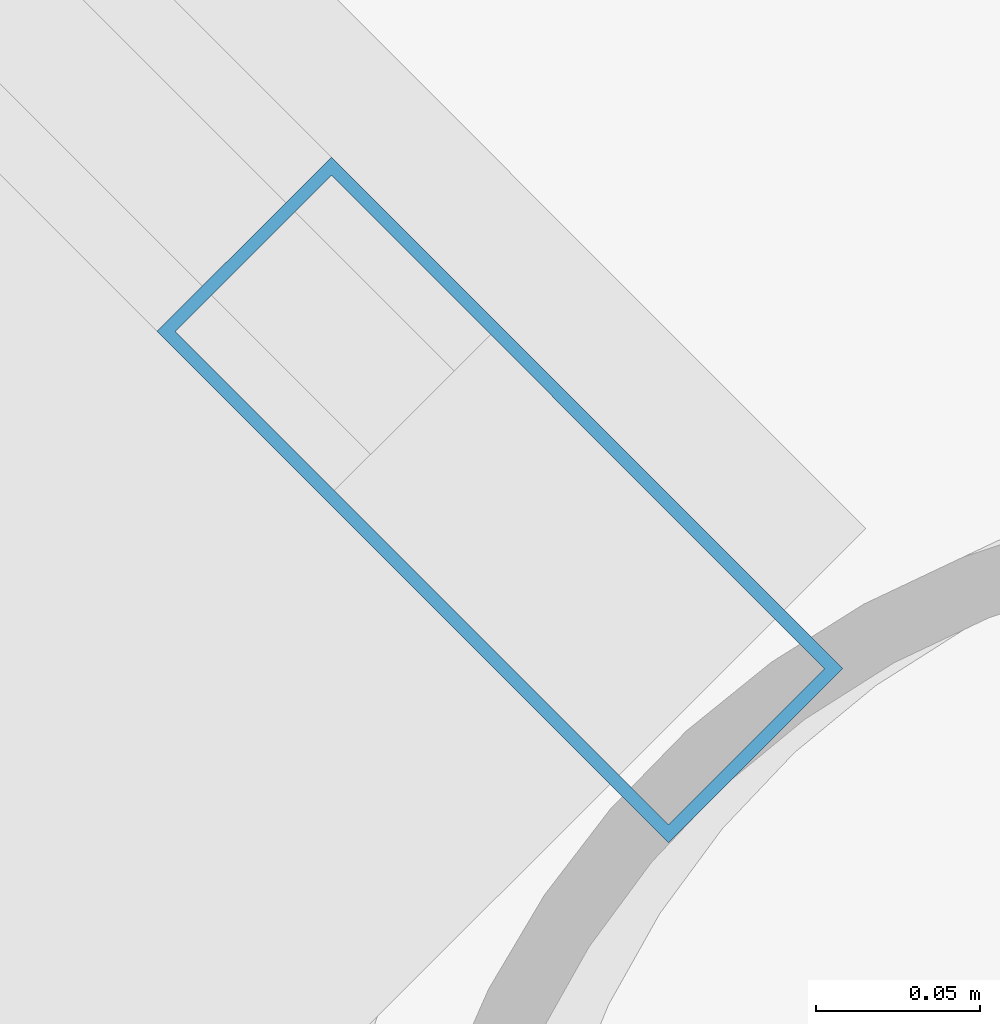
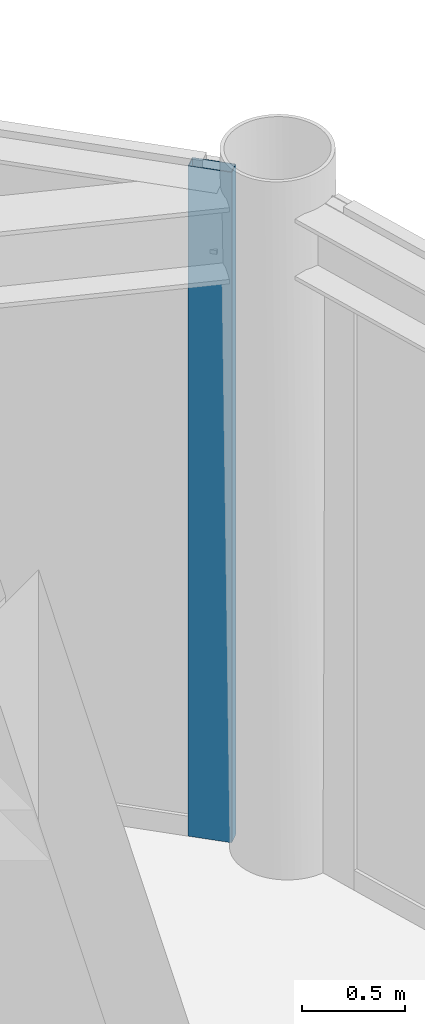
# One storey, part 13 of 20: 1 member, 1 element without a shape of its own.
"""IFC4 building model written with IfcOpenShell, lengths in metres."""

import ifcopenshell
import ifcopenshell.guid

model = None  # the IFC model being written
_history = None  # IfcOwnerHistory: only IFC2X3 demands one
_inside = {}  # id of a spatial element -> (the spatial element, [elements in it])
_under = {}  # id of a project, library or spatial element -> (it, [spatial elements below it])
_declared = {}  # id of a project -> (the project, [libraries it declares])
_typed = {}  # id of a type object -> (the type object, [elements of that type])
_made_of = {}  # id of a material, layer set ... -> (it, [elements and type objects made of it])


def new_model(schema):
    """Start an empty IFC model of exactly this schema.

    Asked for "IFC4X3", IfcOpenShell would pick the latest addendum, in which some entities
    have other attributes; the version numbers below select the first issue.
    IFC2X3 requires an IfcOwnerHistory on every rooted entity: one is made here for all.
    """
    global model, _history
    if schema == "IFC4X3":
        model = ifcopenshell.file(schema_version=(4, 3, 0, 0))
    else:
        model = ifcopenshell.file(schema=schema)
    _inside.clear()
    _under.clear()
    _declared.clear()
    _typed.clear()
    _made_of.clear()
    _history = None
    if model.schema == "IFC2X3":
        org = make("IfcOrganization", Name="unknown")
        user = make(
            "IfcPersonAndOrganization",
            ThePerson=make("IfcPerson", FamilyName="unknown"),
            TheOrganization=org,
        )
        app = make(
            "IfcApplication",
            ApplicationDeveloper=org,
            Version="unknown",
            ApplicationFullName="unknown",
            ApplicationIdentifier="unknown",
        )
        _history = make(
            "IfcOwnerHistory",
            OwningUser=user,
            OwningApplication=app,
            ChangeAction="ADDED",
            CreationDate=0,
        )
    return model


def make(cls, **values):
    """One entity of the class cls with the attributes given. An attribute that is None is left unset."""
    return model.create_entity(
        cls, **{name: value for name, value in values.items() if value is not None}
    )


def rooted(cls, **values):
    """An entity with a GlobalId (a new one), such as an element, a storey or a relation."""
    return make(cls, GlobalId=ifcopenshell.guid.new(), OwnerHistory=_history, **values)


def si_unit(unit_type, name, prefix=None):
    """IfcSIUnit, for example si_unit("LENGTHUNIT", "METRE", prefix="MILLI")."""
    return make("IfcSIUnit", UnitType=unit_type, Prefix=prefix, Name=name)


def assignment(units):
    """IfcUnitAssignment: the units of a project."""
    return None if units is None else make("IfcUnitAssignment", Units=units)


def point(xyz):
    """IfcCartesianPoint."""
    return None if xyz is None else make("IfcCartesianPoint", Coordinates=xyz)


def direction(xyz):
    """IfcDirection."""
    return None if xyz is None else make("IfcDirection", DirectionRatios=xyz)


def frame(location, z_axis=None, x_axis=None):
    """IfcAxis2Placement3D, a coordinate frame: its origin and axes. An axis left out is left unset."""
    return make(
        "IfcAxis2Placement3D",
        Location=point(location),
        Axis=direction(z_axis),
        RefDirection=direction(x_axis),
    )


def frame_2d(location, x_axis=None):
    """IfcAxis2Placement2D, a coordinate frame in the plane: its origin and x axis."""
    return make(
        "IfcAxis2Placement2D", Location=point(location), RefDirection=direction(x_axis)
    )


def origin():
    """The frame at (0, 0, 0) with its axes left unset."""
    return frame((0.0, 0.0, 0.0))


def origin_2d():
    """The frame at (0, 0) in the plane with its x axis left unset."""
    return frame_2d((0.0, 0.0))


def place(relative_to, where):
    """IfcLocalPlacement: puts the frame where relative to a parent placement (None: the world)."""
    return make(
        "IfcLocalPlacement", PlacementRelTo=relative_to, RelativePlacement=where
    )


def context(
    kind, dimensions, precision=None, world=None, true_north=None, identifier=None
):
    """IfcGeometricRepresentationContext, for example the 3D "Model" context."""
    return make(
        "IfcGeometricRepresentationContext",
        ContextIdentifier=identifier,
        ContextType=kind,
        CoordinateSpaceDimension=dimensions,
        Precision=precision,
        WorldCoordinateSystem=world,
        TrueNorth=true_north,
    )


def subcontext(parent, identifier, kind, view, scale=None):
    """IfcGeometricRepresentationSubContext, for example "Body" below "Model"."""
    return make(
        "IfcGeometricRepresentationSubContext",
        ContextIdentifier=identifier,
        ContextType=kind,
        ParentContext=parent,
        TargetScale=scale,
        TargetView=view,
    )


def project(units=None, contexts=None):
    """IfcProject with its units and contexts."""
    return rooted(
        "IfcProject",
        Name="project",
        RepresentationContexts=contexts,
        UnitsInContext=assignment(units),
    )


def spatial(cls, under=None, at=None, **own):
    """A site, building, storey or space (cls), placed at a placement, below another one or the project."""
    s = rooted(cls, ObjectPlacement=at, **own)
    if under is not None:
        _under.setdefault(under.id(), (under, []))[1].append(s)
    return s


def profile(cls, at=None, kind="AREA", **sizes):
    """A parametric profile (cls). Its sizes go by their IFC names, for example OverallWidth=200.0."""
    return make(cls, ProfileType=kind, Position=at, **sizes)


def hollow_rectangle(**sizes):
    """IfcRectangleHollowProfileDef."""
    return profile("IfcRectangleHollowProfileDef", **sizes)


def extrude(swept, where, along, depth):
    """IfcExtrudedAreaSolid: the profile swept, set in the frame where, extruded along a direction by depth."""
    return make(
        "IfcExtrudedAreaSolid",
        SweptArea=swept,
        Position=where,
        ExtrudedDirection=direction(along),
        Depth=depth,
    )


def shape(context_of_items, identifier, shape_type, items):
    """IfcShapeRepresentation: the items that make up one representation, for example the "Body"."""
    return make(
        "IfcShapeRepresentation",
        ContextOfItems=context_of_items,
        RepresentationIdentifier=identifier,
        RepresentationType=shape_type,
        Items=items,
    )


def material(Name=None, Category=None):
    """IfcMaterial."""
    return make("IfcMaterial", Name=Name, Category=Category)


def layer(
    of_material, thickness, ventilated=None, Name=None, Category=None, Priority=None
):
    """IfcMaterialLayer: one layer of a wall or slab, of a material (None: an air gap)."""
    return make(
        "IfcMaterialLayer",
        Material=of_material,
        LayerThickness=thickness,
        IsVentilated=ventilated,
        Name=Name,
        Category=Category,
        Priority=Priority,
    )


def layer_set(layers, Name=None):
    """IfcMaterialLayerSet."""
    return make("IfcMaterialLayerSet", MaterialLayers=layers, LayerSetName=Name)


def material_profile(
    of_material, cross_section, Name=None, Category=None, Priority=None
):
    """IfcMaterialProfile: a cross section and its material."""
    return make(
        "IfcMaterialProfile",
        Name=Name,
        Material=of_material,
        Profile=cross_section,
        Priority=Priority,
        Category=Category,
    )


def profile_set(profiles, Name=None, composite=None):
    """IfcMaterialProfileSet."""
    return make(
        "IfcMaterialProfileSet",
        Name=Name,
        MaterialProfiles=profiles,
        CompositeProfile=composite,
    )


def made_of(thing, what):
    """Note that an element or type object is made of a material, layer set ...; save() writes the relation."""
    if what is not None:
        _made_of.setdefault(what.id(), (what, []))[1].append(thing)
    return thing


def type_object(cls, material=None, **own):
    """A type object (cls), such as IfcWallType, which elements share."""
    return made_of(rooted(cls, **own), material)


def element(
    cls,
    number,
    at=None,
    inside=None,
    cuts=None,
    type_object=None,
    material=None,
    context=None,
    identifier="Body",
    shape_type=None,
    held_by="IfcProductDefinitionShape",
    body=None,
    shapes=None,
    **own,
):
    """One element of the class cls, such as IfcWall. Its Tag is "e" and its number.

    at: its placement. inside: the storey or other place that contains it. cuts: it is an
    opening in that element (IfcRelVoidsElement). A single representation is given by context,
    identifier, shape_type and body (its items); several are given by shapes. held_by: the class
    of the entity that holds the representations. save() writes the other relations.
    """
    e = rooted(cls, Tag="e%d" % number, ObjectPlacement=at, **own)
    if body is not None:
        shapes = [shape(context, identifier, shape_type, body)]
    if shapes is not None:
        e.Representation = make(held_by, Representations=shapes)
    if inside is not None:
        _inside.setdefault(inside.id(), (inside, []))[1].append(e)
    if cuts is not None:
        rooted(
            "IfcRelVoidsElement", RelatingBuildingElement=cuts, RelatedOpeningElement=e
        )
    if type_object is not None:
        _typed.setdefault(type_object.id(), (type_object, []))[1].append(e)
    return made_of(e, material)


def aggregate(whole, parts):
    """IfcRelAggregates: a whole, such as a stair, and the parts it consists of."""
    return rooted("IfcRelAggregates", RelatingObject=whole, RelatedObjects=parts)


def save(model, path):
    """Write the relations noted so far, then the file.

    IfcRelAggregates (storeys below a building ...), IfcRelContainedInSpatialStructure (elements
    in a storey), IfcRelDefinesByType, IfcRelAssociatesMaterial and IfcRelDeclares: one each for
    every whole, place, type object, material and project.
    """
    for whole, parts in _under.values():
        aggregate(whole, parts)
    for where, things in _inside.values():
        rooted(
            "IfcRelContainedInSpatialStructure",
            RelatedElements=things,
            RelatingStructure=where,
        )
    for kind, things in _typed.values():
        rooted("IfcRelDefinesByType", RelatedObjects=things, RelatingType=kind)
    for what, things in _made_of.values():
        rooted("IfcRelAssociatesMaterial", RelatedObjects=things, RelatingMaterial=what)
    for by, libraries in _declared.values():
        rooted("IfcRelDeclares", RelatingContext=by, RelatedDefinitions=libraries)
    model.write(path)


model = new_model("IFC4")

# Units and contexts
model_context = context("Model", 3, precision=1e-05, world=origin(), true_north=direction((0.0, 1.0)))
body_context = subcontext(model_context, "Body", "Model", "MODEL_VIEW")
ifc_project = project(units=[si_unit("LENGTHUNIT", "METRE"), si_unit("AREAUNIT", "SQUARE_METRE"), si_unit("VOLUMEUNIT", "CUBIC_METRE"), si_unit("PLANEANGLEUNIT", "RADIAN"), si_unit("MASSUNIT", "GRAM", prefix="KILO")], contexts=[model_context])

# Site, building, storey
site_placement = place(None, origin())
site = spatial("IfcSite", under=ifc_project, at=site_placement, CompositionType="ELEMENT")
building_placement = place(site_placement, origin())
building = spatial("IfcBuilding", under=site, at=building_placement, Name="Varnakorn Sky Granary", CompositionType="ELEMENT")
storey_placement = place(building_placement, frame((0.0, 0.0, 306.60009765625)))
storey = spatial("IfcBuildingStorey", under=building, at=storey_placement, Name="L78", CompositionType="ELEMENT", Elevation=306.60009765625)

# Curtain wall, member
ifc_material = material(Name="Anodised Bronze Aluminium Alloy 6063-T6", Category="aluminium")
ifc_layer = layer(ifc_material, 0.22998046875, Name="Anodised Bronze Aluminium Alloy 6063-T6")
ifc_layer_set = layer_set([ifc_layer], Name="Anodised Bronze Aluminium Alloy 6063-T6")
curtain_wall_type = type_object("IfcCurtainWallType", Name="CW-LNT-1", PredefinedType="USERDEFINED", material=ifc_layer_set)
curtain_wall_placement = place(storey_placement, origin())
curtain_wall = element("IfcCurtainWall", 1, at=curtain_wall_placement, inside=storey, type_object=curtain_wall_type, Name="Unitised Curtain Wall CW7 CW-L78-B02", ObjectType="CURTAIN WALL", PredefinedType="USERDEFINED")
ifc_material_profile = material_profile(ifc_material, hollow_rectangle(XDim=0.074951171875, YDim=0.219970703125, WallThickness=0.00390625, at=origin_2d()), Name="ALU MULL 75x220")
ifc_profile_set = profile_set([ifc_material_profile], Name="Anodised Bronze Aluminium Alloy 6063-T6")
member_type = type_object("IfcMemberType", Name="CW-LNT-1-MULL", PredefinedType="MULLION", material=ifc_profile_set)
member_placement = place(storey_placement, frame((19.54150390625, 8.906005859375, 0.0), z_axis=(0.0, 0.0, 1.0), x_axis=(0.707251982619, 0.706961549932, 0.0)))
member = element("IfcMember", 2, at=member_placement, type_object=member_type, Name="CW7 mullion 5", PredefinedType="MULLION", context=body_context, shape_type="SweptSolid", body=[
    extrude(hollow_rectangle(XDim=0.074951171875, YDim=0.219970703125, WallThickness=0.00390625, at=origin_2d()), origin(), (0.0, 0.0, 1.0), 3.9599609375),
])
aggregate(curtain_wall, [member])

save(model, "model.ifc")
